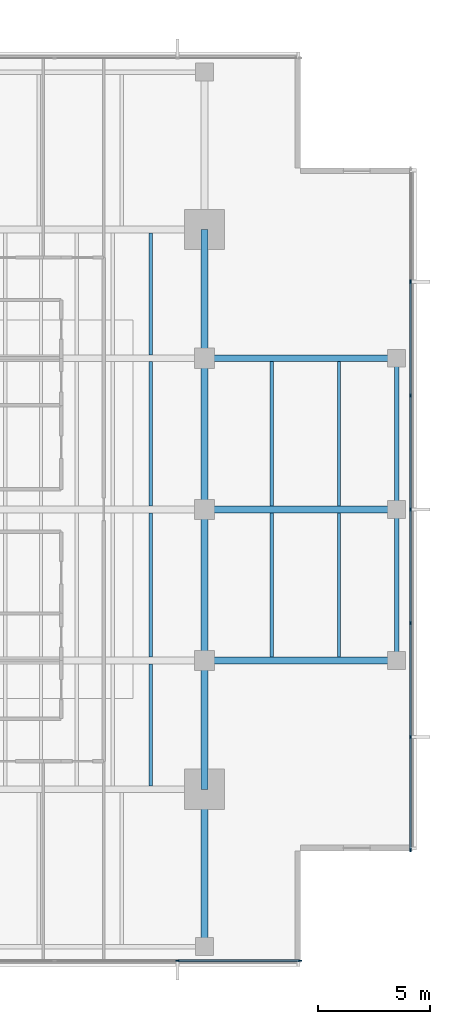
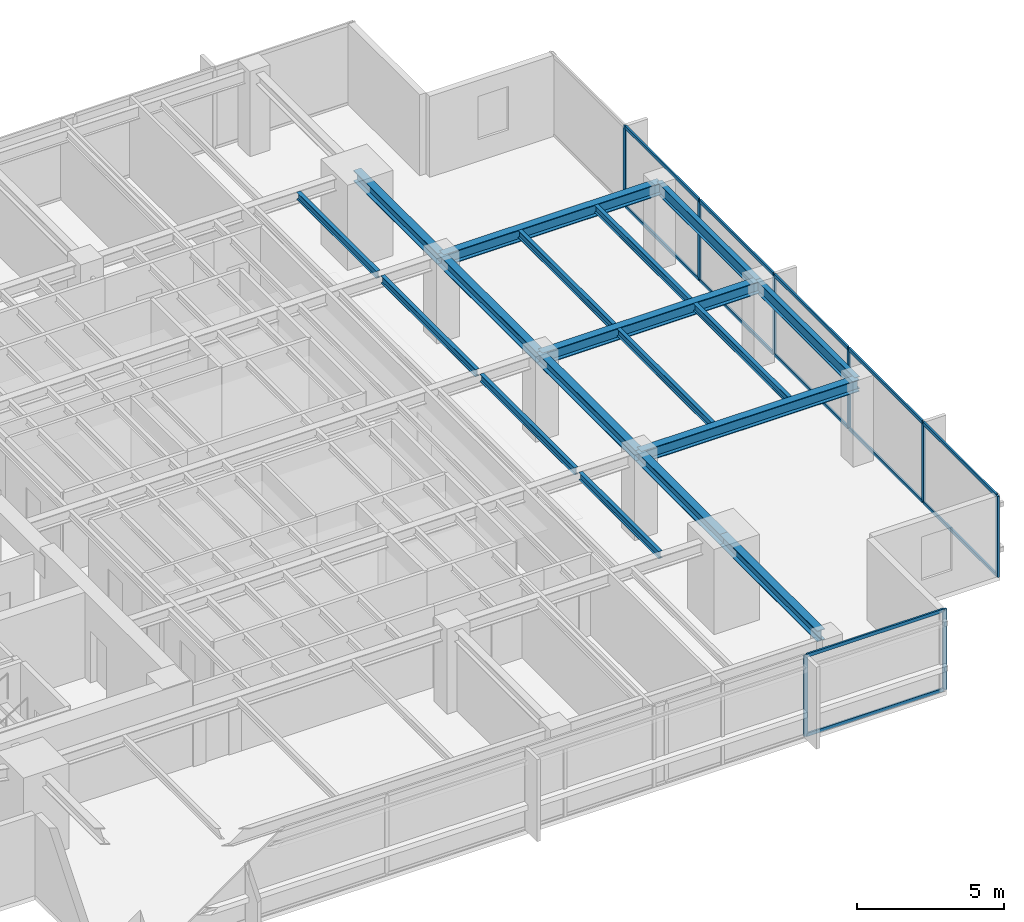
# One storey, part 4 of 15: 20 members, 18 beams, 2 elements without a shape of their own.
"""IFC4 building model written with IfcOpenShell, lengths in metres."""

from ifc_helpers import new_model, si_unit, direction, frame, origin, origin_2d, place, context, subcontext, project, spatial, rectangle, i_section, extrude, material, layer, layer_set, material_profile, profile_set, type_object, element, aggregate, save


model = new_model("IFC4")

# Units and contexts
model_context = context("Model", 3, precision=1e-05, world=origin(), true_north=direction((0.0, 1.0)))
body_context = subcontext(model_context, "Body", "Model", "MODEL_VIEW")
ifc_project = project(units=[si_unit("LENGTHUNIT", "METRE"), si_unit("AREAUNIT", "SQUARE_METRE"), si_unit("VOLUMEUNIT", "CUBIC_METRE"), si_unit("PLANEANGLEUNIT", "RADIAN"), si_unit("MASSUNIT", "GRAM", prefix="KILO")], contexts=[model_context])

# Site, building, storey
site_placement = place(None, origin())
site = spatial("IfcSite", under=ifc_project, at=site_placement, CompositionType="ELEMENT")
building_placement = place(site_placement, origin())
building = spatial("IfcBuilding", under=site, at=building_placement, Name="Kinhvarn Gate Tower", CompositionType="ELEMENT")
storey_placement = place(building_placement, frame((0.0, 0.0, 220.0)))
storey = spatial("IfcBuildingStorey", under=building, at=storey_placement, Name="L58", CompositionType="ELEMENT", Elevation=220.0)

# Curtain wall, members
ifc_material_1 = material(Name="Anodised aluminium AW-6063", Category="aluminium")
ifc_layer = layer(ifc_material_1, 0.179931640625)
ifc_layer_set = layer_set([ifc_layer], Name="Anodised aluminium AW-6063")
curtain_wall_type = type_object("IfcCurtainWallType", Name="CW-SYS-3", PredefinedType="NOTDEFINED", material=ifc_layer_set)
curtain_wall_1_placement = place(storey_placement, origin())
curtain_wall_1 = element("IfcCurtainWall", 1, at=curtain_wall_1_placement, inside=storey, type_object=curtain_wall_type, Name="Curtain Wall CW3 (L58)", PredefinedType="NOTDEFINED")
ifc_material_profile_1 = material_profile(ifc_material_1, rectangle(XDim=0.06494140625, YDim=0.159912109375, at=origin_2d()), Name="ALU 65x160")
ifc_profile_set_1 = profile_set([ifc_material_profile_1], Name="Anodised aluminium AW-6063")
member_type_1 = type_object("IfcMemberType", Name="CW-MUL-160", PredefinedType="MULLION", material=ifc_profile_set_1)
member_1_placement = place(storey_placement, frame((37.0, 5.090087890625, 0.0), z_axis=(0.0, 0.0, 1.0), x_axis=(0.0, 1.0, 0.0)))
member_1 = element("IfcMember", 2, at=member_1_placement, type_object=member_type_1, Name="CW3 mullion 6", PredefinedType="MULLION", context=body_context, shape_type="SweptSolid", body=[
    extrude(rectangle(XDim=0.06494140625, YDim=0.159912109375, at=origin_2d()), origin(), (0.0, 0.0, 1.0), 3.3701171875),
])
member_2_placement = place(storey_placement, frame((42.467529296875, 5.090087890625, 0.0), z_axis=(0.0, 0.0, 1.0), x_axis=(0.0, 1.0, 0.0)))
member_2 = element("IfcMember", 3, at=member_2_placement, type_object=member_type_1, Name="CW3 mullion 7", PredefinedType="MULLION", context=body_context, shape_type="SweptSolid", body=[
    extrude(rectangle(XDim=0.06494140625, YDim=0.159912109375, at=origin_2d()), origin(), (0.0, 0.0, 1.0), 3.3701171875),
])

curtain_wall_2_placement = place(storey_placement, origin())
curtain_wall_2 = element("IfcCurtainWall", 4, at=curtain_wall_2_placement, inside=storey, type_object=curtain_wall_type, Name="Curtain Wall CW3 (L58)", PredefinedType="NOTDEFINED")
member_3_placement = place(storey_placement, frame((47.409912109375, 10.032470703125, 0.0), z_axis=(0.0, 0.0, 1.0), x_axis=(-1.0, 0.0, 0.0)))
member_3 = element("IfcMember", 5, at=member_3_placement, type_object=member_type_1, Name="CW3 mullion 1", PredefinedType="MULLION", context=body_context, shape_type="SweptSolid", body=[
    extrude(rectangle(XDim=0.06494140625, YDim=0.159912109375, at=origin_2d()), origin(), (0.0, 0.0, 1.0), 3.3701171875),
])
member_4_placement = place(storey_placement, frame((47.409912109375, 15.083251953125, 0.0), z_axis=(0.0, 0.0, 1.0), x_axis=(-1.0, 0.0, 0.0)))
member_4 = element("IfcMember", 6, at=member_4_placement, type_object=member_type_1, Name="CW3 mullion 2", PredefinedType="MULLION", context=body_context, shape_type="SweptSolid", body=[
    extrude(rectangle(XDim=0.06494140625, YDim=0.159912109375, at=origin_2d()), origin(), (0.0, 0.0, 1.0), 3.3701171875),
])
member_5_placement = place(storey_placement, frame((47.409912109375, 20.166748046875, 0.0), z_axis=(0.0, 0.0, 1.0), x_axis=(-1.0, 0.0, 0.0)))
member_5 = element("IfcMember", 7, at=member_5_placement, type_object=member_type_1, Name="CW3 mullion 3", PredefinedType="MULLION", context=body_context, shape_type="SweptSolid", body=[
    extrude(rectangle(XDim=0.06494140625, YDim=0.159912109375, at=origin_2d()), origin(), (0.0, 0.0, 1.0), 3.3701171875),
])
member_6_placement = place(storey_placement, frame((47.409912109375, 25.25, 0.0), z_axis=(0.0, 0.0, 1.0), x_axis=(-1.0, 0.0, 0.0)))
member_6 = element("IfcMember", 8, at=member_6_placement, type_object=member_type_1, Name="CW3 mullion 4", PredefinedType="MULLION", context=body_context, shape_type="SweptSolid", body=[
    extrude(rectangle(XDim=0.06494140625, YDim=0.159912109375, at=origin_2d()), origin(), (0.0, 0.0, 1.0), 3.3701171875),
])
member_7_placement = place(storey_placement, frame((47.409912109375, 30.333251953125, 0.0), z_axis=(0.0, 0.0, 1.0), x_axis=(-1.0, 0.0, 0.0)))
member_7 = element("IfcMember", 9, at=member_7_placement, type_object=member_type_1, Name="CW3 mullion 5", PredefinedType="MULLION", context=body_context, shape_type="SweptSolid", body=[
    extrude(rectangle(XDim=0.06494140625, YDim=0.159912109375, at=origin_2d()), origin(), (0.0, 0.0, 1.0), 3.3701171875),
])
member_8_placement = place(storey_placement, frame((47.409912109375, 35.416748046875, 0.0), z_axis=(0.0, 0.0, 1.0), x_axis=(-1.0, 0.0, 0.0)))
member_8 = element("IfcMember", 10, at=member_8_placement, type_object=member_type_1, Name="CW3 mullion 6", PredefinedType="MULLION", context=body_context, shape_type="SweptSolid", body=[
    extrude(rectangle(XDim=0.06494140625, YDim=0.159912109375, at=origin_2d()), origin(), (0.0, 0.0, 1.0), 3.3701171875),
])

# Member
ifc_material_profile_2 = material_profile(ifc_material_1, rectangle(XDim=0.070068359375, YDim=0.139892578125, at=origin_2d()), Name="ALU 70x140")
ifc_profile_set_2 = profile_set([ifc_material_profile_2], Name="Anodised aluminium AW-6063")
member_type_2 = type_object("IfcMemberType", Name="CW-TRN-140", PredefinedType="USERDEFINED", material=ifc_profile_set_2)
member_9_placement = place(storey_placement, frame((37.032470703125, 5.090087890625, 0.034912109375), z_axis=(1.0, 0.0, 0.0), x_axis=(0.0, 1.0, 0.0)))
member_9 = element("IfcMember", 11, at=member_9_placement, type_object=member_type_2, Name="CW3 transom 6.1", ObjectType="TRANSOM", PredefinedType="USERDEFINED", context=body_context, shape_type="SweptSolid", body=[
    extrude(rectangle(XDim=0.070068359375, YDim=0.139892578125, at=origin_2d()), origin(), (0.0, 0.0, 1.0), 5.402587890625),
])

member_10_placement = place(storey_placement, frame((37.032470703125, 5.090087890625, 3.3349609375), z_axis=(1.0, 0.0, 0.0), x_axis=(0.0, 1.0, 0.0)))
member_10 = element("IfcMember", 12, at=member_10_placement, type_object=member_type_2, Name="CW3 transom 6.2", ObjectType="TRANSOM", PredefinedType="USERDEFINED", context=body_context, shape_type="SweptSolid", body=[
    extrude(rectangle(XDim=0.070068359375, YDim=0.139892578125, at=origin_2d()), origin(), (0.0, 0.0, 1.0), 5.402587890625),
])

aggregate(curtain_wall_1, [member_1, member_2, member_9, member_10])

member_11_placement = place(storey_placement, frame((47.409912109375, 10.06494140625, 0.034912109375), z_axis=(0.0, 1.0, 0.0), x_axis=(-1.0, 0.0, 0.0)))
member_11 = element("IfcMember", 13, at=member_11_placement, type_object=member_type_2, Name="CW3 transom 1.1", ObjectType="TRANSOM", PredefinedType="USERDEFINED", context=body_context, shape_type="SweptSolid", body=[
    extrude(rectangle(XDim=0.070068359375, YDim=0.139892578125, at=origin_2d()), origin(), (0.0, 0.0, 1.0), 4.98583984375),
])

member_12_placement = place(storey_placement, frame((47.409912109375, 10.06494140625, 3.3349609375), z_axis=(0.0, 1.0, 0.0), x_axis=(-1.0, 0.0, 0.0)))
member_12 = element("IfcMember", 14, at=member_12_placement, type_object=member_type_2, Name="CW3 transom 1.2", ObjectType="TRANSOM", PredefinedType="USERDEFINED", context=body_context, shape_type="SweptSolid", body=[
    extrude(rectangle(XDim=0.070068359375, YDim=0.139892578125, at=origin_2d()), origin(), (0.0, 0.0, 1.0), 4.98583984375),
])

member_13_placement = place(storey_placement, frame((47.409912109375, 15.11572265625, 0.034912109375), z_axis=(0.0, 1.0, 0.0), x_axis=(-1.0, 0.0, 0.0)))
member_13 = element("IfcMember", 15, at=member_13_placement, type_object=member_type_2, Name="CW3 transom 2.1", ObjectType="TRANSOM", PredefinedType="USERDEFINED", context=body_context, shape_type="SweptSolid", body=[
    extrude(rectangle(XDim=0.070068359375, YDim=0.139892578125, at=origin_2d()), origin(), (0.0, 0.0, 1.0), 5.0185546875),
])

member_14_placement = place(storey_placement, frame((47.409912109375, 15.11572265625, 3.3349609375), z_axis=(0.0, 1.0, 0.0), x_axis=(-1.0, 0.0, 0.0)))
member_14 = element("IfcMember", 16, at=member_14_placement, type_object=member_type_2, Name="CW3 transom 2.2", ObjectType="TRANSOM", PredefinedType="USERDEFINED", context=body_context, shape_type="SweptSolid", body=[
    extrude(rectangle(XDim=0.070068359375, YDim=0.139892578125, at=origin_2d()), origin(), (0.0, 0.0, 1.0), 5.0185546875),
])

member_15_placement = place(storey_placement, frame((47.409912109375, 20.19921875, 0.034912109375), z_axis=(0.0, 1.0, 0.0), x_axis=(-1.0, 0.0, 0.0)))
member_15 = element("IfcMember", 17, at=member_15_placement, type_object=member_type_2, Name="CW3 transom 3.1", ObjectType="TRANSOM", PredefinedType="USERDEFINED", context=body_context, shape_type="SweptSolid", body=[
    extrude(rectangle(XDim=0.070068359375, YDim=0.139892578125, at=origin_2d()), origin(), (0.0, 0.0, 1.0), 5.018310546875),
])

member_16_placement = place(storey_placement, frame((47.409912109375, 20.19921875, 3.3349609375), z_axis=(0.0, 1.0, 0.0), x_axis=(-1.0, 0.0, 0.0)))
member_16 = element("IfcMember", 18, at=member_16_placement, type_object=member_type_2, Name="CW3 transom 3.2", ObjectType="TRANSOM", PredefinedType="USERDEFINED", context=body_context, shape_type="SweptSolid", body=[
    extrude(rectangle(XDim=0.070068359375, YDim=0.139892578125, at=origin_2d()), origin(), (0.0, 0.0, 1.0), 5.018310546875),
])

member_17_placement = place(storey_placement, frame((47.409912109375, 25.282470703125, 0.034912109375), z_axis=(0.0, 1.0, 0.0), x_axis=(-1.0, 0.0, 0.0)))
member_17 = element("IfcMember", 19, at=member_17_placement, type_object=member_type_2, Name="CW3 transom 4.1", ObjectType="TRANSOM", PredefinedType="USERDEFINED", context=body_context, shape_type="SweptSolid", body=[
    extrude(rectangle(XDim=0.070068359375, YDim=0.139892578125, at=origin_2d()), origin(), (0.0, 0.0, 1.0), 5.018310546875),
])

member_18_placement = place(storey_placement, frame((47.409912109375, 25.282470703125, 3.3349609375), z_axis=(0.0, 1.0, 0.0), x_axis=(-1.0, 0.0, 0.0)))
member_18 = element("IfcMember", 20, at=member_18_placement, type_object=member_type_2, Name="CW3 transom 4.2", ObjectType="TRANSOM", PredefinedType="USERDEFINED", context=body_context, shape_type="SweptSolid", body=[
    extrude(rectangle(XDim=0.070068359375, YDim=0.139892578125, at=origin_2d()), origin(), (0.0, 0.0, 1.0), 5.018310546875),
])

member_19_placement = place(storey_placement, frame((47.409912109375, 30.36572265625, 0.034912109375), z_axis=(0.0, 1.0, 0.0), x_axis=(-1.0, 0.0, 0.0)))
member_19 = element("IfcMember", 21, at=member_19_placement, type_object=member_type_2, Name="CW3 transom 5.1", ObjectType="TRANSOM", PredefinedType="USERDEFINED", context=body_context, shape_type="SweptSolid", body=[
    extrude(rectangle(XDim=0.070068359375, YDim=0.139892578125, at=origin_2d()), origin(), (0.0, 0.0, 1.0), 5.0185546875),
])

member_20_placement = place(storey_placement, frame((47.409912109375, 30.36572265625, 3.3349609375), z_axis=(0.0, 1.0, 0.0), x_axis=(-1.0, 0.0, 0.0)))
member_20 = element("IfcMember", 22, at=member_20_placement, type_object=member_type_2, Name="CW3 transom 5.2", ObjectType="TRANSOM", PredefinedType="USERDEFINED", context=body_context, shape_type="SweptSolid", body=[
    extrude(rectangle(XDim=0.070068359375, YDim=0.139892578125, at=origin_2d()), origin(), (0.0, 0.0, 1.0), 5.0185546875),
])

aggregate(curtain_wall_2, [member_3, member_4, member_5, member_6, member_7, member_8, member_11, member_12, member_13, member_14, member_15, member_16, member_17, member_18, member_19, member_20])

# Beams
ifc_material_2 = material(Name="Steel S355", Category="steel")
ifc_material_profile_3 = material_profile(ifc_material_2, i_section(OverallWidth=0.300048828125, OverallDepth=0.449951171875, WebThickness=0.013916015625, FlangeThickness=0.02587890625, at=origin_2d()), Name="HEB 450")
ifc_profile_set_3 = profile_set([ifc_material_profile_3], Name="Steel S355")
beam_type_1 = type_object("IfcBeamType", Name="STL-HEB450", PredefinedType="BEAM", material=ifc_profile_set_3)
beam_1_placement = place(storey_placement, frame((38.199951171875, 6.10498046875, 3.14501953125), z_axis=(0.0, 1.0, 0.0), x_axis=(-1.0, 0.0, 0.0)))
element("IfcBeam", 23, at=beam_1_placement, inside=storey, type_object=beam_type_1, Name="Floor Beam PG-13 (L58 MCE-S)", PredefinedType="BEAM", context=body_context, shape_type="SweptSolid", body=[
    extrude(i_section(OverallWidth=0.300048828125, OverallDepth=0.449951171875, WebThickness=0.013916015625, FlangeThickness=0.02587890625, at=origin_2d()), origin(), (0.0, 0.0, 1.0), 6.64501953125),
])
beam_2_placement = place(storey_placement, frame((38.199951171875, 12.75, 3.14501953125), z_axis=(0.0, 1.0, 0.0), x_axis=(-1.0, 0.0, 0.0)))
element("IfcBeam", 24, at=beam_2_placement, inside=storey, type_object=beam_type_1, Name="Floor Beam PG-13 (L58 MG-E-12)", PredefinedType="BEAM", context=body_context, shape_type="SweptSolid", body=[
    extrude(i_section(OverallWidth=0.300048828125, OverallDepth=0.449951171875, WebThickness=0.013916015625, FlangeThickness=0.02587890625, at=origin_2d()), origin(), (0.0, 0.0, 1.0), 5.75),
])
for number, where, z_axis, x_axis, name in (
    (25, (38.199951171875, 18.5, 3.14501953125), (0.0, 1.0, 0.0), (-1.0, 0.0, 0.0), "Floor Beam PG-13 (L58 MG-E-18)"),
    (26, (38.199951171875, 25.25, 3.14501953125), (0.0, 1.0, 0.0), (-1.0, 0.0, 0.0), "Floor Beam PG-13 (L58 MG-E-25)"),
):
    element("IfcBeam", number, at=place(storey_placement, frame(where, z_axis=z_axis, x_axis=x_axis)), inside=storey, type_object=beam_type_1, Name=name, PredefinedType="BEAM", context=body_context, shape_type="SweptSolid", body=[
        extrude(i_section(OverallWidth=0.300048828125, OverallDepth=0.449951171875, WebThickness=0.013916015625, FlangeThickness=0.02587890625, at=origin_2d()), origin(), (0.0, 0.0, 1.0), 6.75),
    ])
beam_3_placement = place(storey_placement, frame((38.199951171875, 32.0, 3.14501953125), z_axis=(0.0, 1.0, 0.0), x_axis=(-1.0, 0.0, 0.0)))
element("IfcBeam", 27, at=beam_3_placement, inside=storey, type_object=beam_type_1, Name="Floor Beam PG-13 (L58 MG-E-32)", PredefinedType="BEAM", context=body_context, shape_type="SweptSolid", body=[
    extrude(i_section(OverallWidth=0.300048828125, OverallDepth=0.449951171875, WebThickness=0.013916015625, FlangeThickness=0.02587890625, at=origin_2d()), origin(), (0.0, 0.0, 1.0), 5.75),
])
ifc_material_profile_4 = material_profile(ifc_material_2, i_section(OverallWidth=0.300048828125, OverallDepth=0.5, WebThickness=0.014404296875, FlangeThickness=0.028076171875, at=origin_2d()), Name="HEB 500")
ifc_profile_set_4 = profile_set([ifc_material_profile_4], Name="Steel S355")
beam_type_2 = type_object("IfcBeamType", Name="STL-HEB500", PredefinedType="BEAM", material=ifc_profile_set_4)
for number, where, z_axis, x_axis, name in (
    (28, (38.199951171875, 18.5, 3.1201171875), (1.0, 0.0, 0.0), (0.0, 1.0, 0.0), "Floor Beam PG-14 (L58 EW2-Y18)"),
    (29, (38.199951171875, 25.25, 3.1201171875), (1.0, 0.0, 0.0), (0.0, 1.0, 0.0), "Floor Beam PG-14 (L58 EW2-Y25)"),
    (30, (38.199951171875, 32.0, 3.1201171875), (1.0, 0.0, 0.0), (0.0, 1.0, 0.0), "Floor Beam PG-14 (L58 EW2-Y32)"),
):
    element("IfcBeam", number, at=place(storey_placement, frame(where, z_axis=z_axis, x_axis=x_axis)), inside=storey, type_object=beam_type_2, Name=name, PredefinedType="BEAM", context=body_context, shape_type="SweptSolid", body=[
        extrude(i_section(OverallWidth=0.300048828125, OverallDepth=0.5, WebThickness=0.014404296875, FlangeThickness=0.028076171875, at=origin_2d()), origin(), (0.0, 0.0, 1.0), 8.580078125),
    ])
ifc_material_profile_5 = material_profile(ifc_material_2, i_section(OverallWidth=0.14990234375, OverallDepth=0.300048828125, WebThickness=0.007080078125, FlangeThickness=0.0107421875, at=origin_2d()), Name="IPE 300")
ifc_profile_set_5 = profile_set([ifc_material_profile_5], Name="Steel S355")
beam_type_3 = type_object("IfcBeamType", Name="STL-IPE300", PredefinedType="JOIST", material=ifc_profile_set_5)
beam_4_placement = place(storey_placement, frame((35.800048828125, 12.89990234375, 3.219970703125), z_axis=(0.0, 1.0, 0.0), x_axis=(-1.0, 0.0, 0.0)))
element("IfcBeam", 31, at=beam_4_placement, inside=storey, type_object=beam_type_3, Name="Floor Joist SB-02 (L58 JC-X358-0)", PredefinedType="JOIST", context=body_context, shape_type="SweptSolid", body=[
    extrude(i_section(OverallWidth=0.14990234375, OverallDepth=0.300048828125, WebThickness=0.007080078125, FlangeThickness=0.0107421875, at=origin_2d()), origin(), (0.0, 0.0, 1.0), 5.4501953125),
])
for number, where, z_axis, x_axis, name in (
    (32, (35.800048828125, 18.64990234375, 3.219970703125), (0.0, 1.0, 0.0), (-1.0, 0.0, 0.0), "Floor Joist SB-02 (L58 JC-X358-1)"),
    (33, (35.800048828125, 25.39990234375, 3.219970703125), (0.0, 1.0, 0.0), (-1.0, 0.0, 0.0), "Floor Joist SB-02 (L58 JC-X358-2)"),
):
    element("IfcBeam", number, at=place(storey_placement, frame(where, z_axis=z_axis, x_axis=x_axis)), inside=storey, type_object=beam_type_3, Name=name, PredefinedType="JOIST", context=body_context, shape_type="SweptSolid", body=[
        extrude(i_section(OverallWidth=0.14990234375, OverallDepth=0.300048828125, WebThickness=0.007080078125, FlangeThickness=0.0107421875, at=origin_2d()), origin(), (0.0, 0.0, 1.0), 6.4501953125),
    ])
beam_5_placement = place(storey_placement, frame((35.800048828125, 32.14990234375, 3.219970703125), z_axis=(0.0, 1.0, 0.0), x_axis=(-1.0, 0.0, 0.0)))
element("IfcBeam", 34, at=beam_5_placement, inside=storey, type_object=beam_type_3, Name="Floor Joist SB-02 (L58 JC-X358-3)", PredefinedType="JOIST", context=body_context, shape_type="SweptSolid", body=[
    extrude(i_section(OverallWidth=0.14990234375, OverallDepth=0.300048828125, WebThickness=0.007080078125, FlangeThickness=0.0107421875, at=origin_2d()), origin(), (0.0, 0.0, 1.0), 5.4501953125),
])
for number, where, z_axis, x_axis, name in (
    (35, (41.199951171875, 18.64990234375, 3.219970703125), (0.0, 1.0, 0.0), (-1.0, 0.0, 0.0), "Floor Joist SB-02 (L58 JC-X412-1)"),
    (36, (41.199951171875, 25.39990234375, 3.219970703125), (0.0, 1.0, 0.0), (-1.0, 0.0, 0.0), "Floor Joist SB-02 (L58 JC-X412-2)"),
    (37, (44.2099609375, 18.64990234375, 3.219970703125), (0.0, 1.0, 0.0), (-1.0, 0.0, 0.0), "Floor Joist SB-02 (L58 JC-X442-1)"),
    (38, (44.2099609375, 25.39990234375, 3.219970703125), (0.0, 1.0, 0.0), (-1.0, 0.0, 0.0), "Floor Joist SB-02 (L58 JC-X442-2)"),
):
    element("IfcBeam", number, at=place(storey_placement, frame(where, z_axis=z_axis, x_axis=x_axis)), inside=storey, type_object=beam_type_3, Name=name, PredefinedType="JOIST", context=body_context, shape_type="SweptSolid", body=[
        extrude(i_section(OverallWidth=0.14990234375, OverallDepth=0.300048828125, WebThickness=0.007080078125, FlangeThickness=0.0107421875, at=origin_2d()), origin(), (0.0, 0.0, 1.0), 6.4501953125),
    ])
ifc_material_profile_6 = material_profile(ifc_material_2, i_section(OverallWidth=0.199951171875, OverallDepth=0.5, WebThickness=0.01025390625, FlangeThickness=0.01611328125, at=origin_2d()), Name="IPE 500")
ifc_profile_set_6 = profile_set([ifc_material_profile_6], Name="Steel S355")
beam_type_4 = type_object("IfcBeamType", Name="STL-IPE500", PredefinedType="SPANDREL", material=ifc_profile_set_6)
for number, where, z_axis, x_axis, name in (
    (39, (46.780029296875, 18.5, 3.1201171875), (0.0, 1.0, 0.0), (-1.0, 0.0, 0.0), "Floor Spandrel SB-07 (L58 SP-E2)"),
    (40, (46.780029296875, 25.25, 3.1201171875), (0.0, 1.0, 0.0), (-1.0, 0.0, 0.0), "Floor Spandrel SB-07 (L58 SP-E3)"),
):
    element("IfcBeam", number, at=place(storey_placement, frame(where, z_axis=z_axis, x_axis=x_axis)), inside=storey, type_object=beam_type_4, Name=name, PredefinedType="SPANDREL", context=body_context, shape_type="SweptSolid", body=[
        extrude(i_section(OverallWidth=0.199951171875, OverallDepth=0.5, WebThickness=0.01025390625, FlangeThickness=0.01611328125, at=origin_2d()), origin(), (0.0, 0.0, 1.0), 6.75),
    ])

save(model, "model.ifc")
